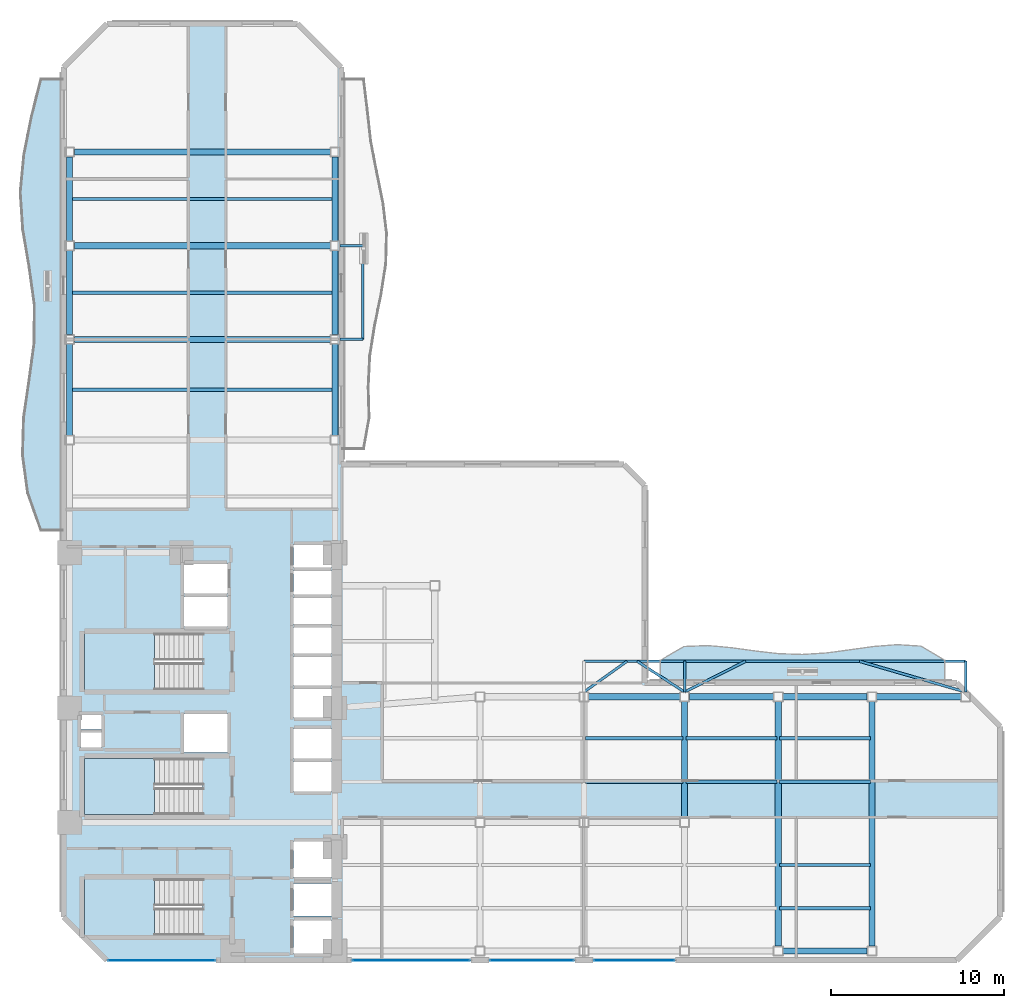
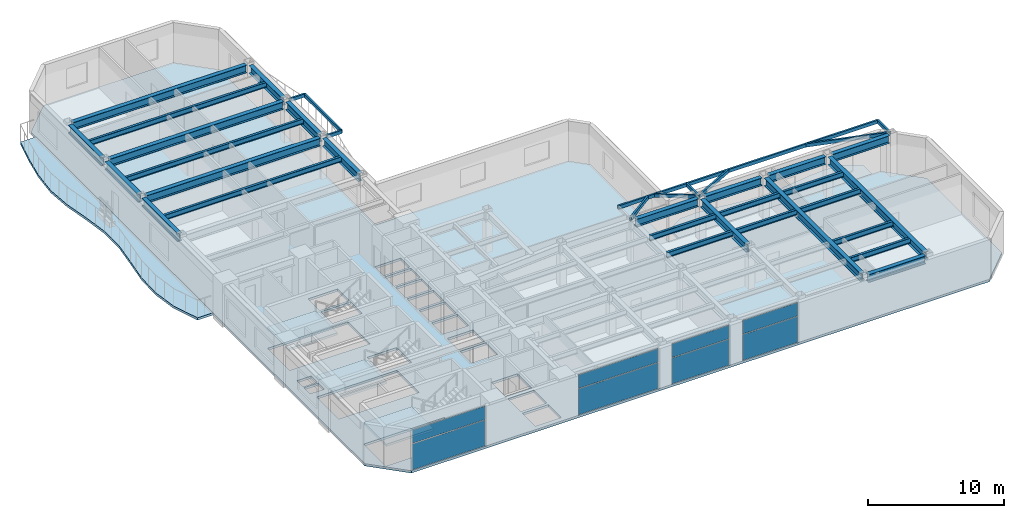
# One storey, part 8 of 16: 39 beams, 8 plates, 6 slabs, 7 elements without a shape of their own.
"""IFC4 building model written with IfcOpenShell, lengths in metres."""

from ifc_helpers import new_model, si_unit, direction, frame, origin, origin_2d, place, context, subcontext, project, spatial, polyline, rectangle, hollow_rectangle, i_section, outline, extrude, material, layer, layer_set, material_profile, profile_set, type_object, element, aggregate, save


model = new_model("IFC4")

# Units and contexts
model_context = context("Model", 3, precision=1e-05, world=origin(), true_north=direction((0.0, 1.0)))
body_context = subcontext(model_context, "Body", "Model", "MODEL_VIEW")
ifc_project = project(units=[si_unit("LENGTHUNIT", "METRE"), si_unit("AREAUNIT", "SQUARE_METRE"), si_unit("VOLUMEUNIT", "CUBIC_METRE"), si_unit("PLANEANGLEUNIT", "RADIAN"), si_unit("MASSUNIT", "GRAM", prefix="KILO")], contexts=[model_context])

# Site, building, storey
site_placement = place(None, origin())
site = spatial("IfcSite", under=ifc_project, at=site_placement, CompositionType="ELEMENT")
building_placement = place(site_placement, origin())
building = spatial("IfcBuilding", under=site, at=building_placement, Name="Mawjaban Terraces University", CompositionType="ELEMENT")
storey_placement = place(building_placement, frame((0.0, 0.0, 38.800048828125)))
storey = spatial("IfcBuildingStorey", under=building, at=storey_placement, Name="L08", CompositionType="ELEMENT", Elevation=38.800048828125)

# Beams
ifc_material_1 = material(Name="Steel EN 10210-1 S355J2H", Category="steel")
ifc_material_profile_1 = material_profile(ifc_material_1, hollow_rectangle(XDim=0.14990234375, YDim=0.300048828125, WallThickness=0.012451171875, at=origin_2d()), Name="RHS300X150X12.5")
ifc_profile_set_1 = profile_set([ifc_material_profile_1], Name="Steel EN 10210-1 S355J2H")
beam_type_1 = type_object("IfcBeamType", Name="BalconyCantileverSpandrel_RHS", PredefinedType="SPANDREL", material=ifc_profile_set_1)
for number, where, z_axis, x_axis, name in (
    (1, (57.800048828125, 15.47509765625, 3.5400390625), (0.0, 1.0, 0.0), (-1.0, 0.0, 0.0), "L08 Exterior Outrigger BAL-L09-N.1"),
    (2, (74.0, 15.47509765625, 3.5400390625), (0.0, 1.0, 0.0), (-1.0, 0.0, 0.0), "L08 Exterior Outrigger BAL-L09-N.2"),
):
    element("IfcBeam", number, at=place(storey_placement, frame(where, z_axis=z_axis, x_axis=x_axis)), inside=storey, type_object=beam_type_1, Name=name, PredefinedType="SPANDREL", context=body_context, shape_type="SweptSolid", body=[
        extrude(hollow_rectangle(XDim=0.14990234375, YDim=0.300048828125, WallThickness=0.012451171875, at=origin_2d()), origin(), (0.0, 0.0, 1.0), 1.77490234375),
    ])
beam_1_placement = place(storey_placement, frame((57.800048828125, 17.25, 3.5400390625), z_axis=(1.0, 0.0, 0.0), x_axis=(0.0, 1.0, 0.0)))
element("IfcBeam", 3, at=beam_1_placement, inside=storey, type_object=beam_type_1, Name="L08 Exterior Edge Spandrel BAL-L09-N", PredefinedType="SPANDREL", context=body_context, shape_type="SweptSolid", body=[
    extrude(hollow_rectangle(XDim=0.14990234375, YDim=0.300048828125, WallThickness=0.012451171875, at=origin_2d()), origin(), (0.0, 0.0, 1.0), 16.199951171875),
])
beam_2_placement = place(storey_placement, frame((57.800048828125, 15.47509765625, 3.5400390625), z_axis=(0.892910985916, 0.450233240922, 0.0), x_axis=(-0.450233240922, 0.892910985916, 0.0)))
element("IfcBeam", 4, at=beam_2_placement, inside=storey, type_object=beam_type_1, Name="L08 Exterior Diagonal Strut BAL-L09-N.1", PredefinedType="SPANDREL", context=body_context, shape_type="SweptSolid", body=[
    extrude(hollow_rectangle(XDim=0.14990234375, YDim=0.300048828125, WallThickness=0.012451171875, at=origin_2d()), origin(), (0.0, 0.0, 1.0), 3.942138671875),
])
beam_3_placement = place(storey_placement, frame((74.0, 15.47509765625, 3.5400390625), z_axis=(-0.960426269064, 0.278534345624, 0.0), x_axis=(-0.278534345624, -0.960426269064, 0.0)))
element("IfcBeam", 5, at=beam_3_placement, inside=storey, type_object=beam_type_1, Name="L08 Exterior Diagonal Strut BAL-L09-N.2", PredefinedType="SPANDREL", context=body_context, shape_type="SweptSolid", body=[
    extrude(hollow_rectangle(XDim=0.14990234375, YDim=0.300048828125, WallThickness=0.012451171875, at=origin_2d()), origin(), (0.0, 0.0, 1.0), 6.372314453125),
])
for number, where, z_axis, x_axis, name in (
    (6, (37.925048828125, 35.800048828125, 3.5400390625), (1.0, 0.0, 0.0), (0.0, 1.0, 0.0), "L08 Exterior Outrigger BAL-L09-E.1"),
    (7, (37.925048828125, 41.199951171875, 3.5400390625), (1.0, 0.0, 0.0), (0.0, 1.0, 0.0), "L08 Exterior Outrigger BAL-L09-E.2"),
):
    element("IfcBeam", number, at=place(storey_placement, frame(where, z_axis=z_axis, x_axis=x_axis)), inside=storey, type_object=beam_type_1, Name=name, PredefinedType="SPANDREL", context=body_context, shape_type="SweptSolid", body=[
        extrude(hollow_rectangle(XDim=0.14990234375, YDim=0.300048828125, WallThickness=0.012451171875, at=origin_2d()), origin(), (0.0, 0.0, 1.0), 1.324951171875),
    ])
beam_4_placement = place(storey_placement, frame((39.25, 35.800048828125, 3.5400390625), z_axis=(0.0, 1.0, 0.0), x_axis=(-1.0, 0.0, 0.0)))
element("IfcBeam", 8, at=beam_4_placement, inside=storey, type_object=beam_type_1, Name="L08 Exterior Edge Spandrel BAL-L09-E", PredefinedType="SPANDREL", context=body_context, shape_type="SweptSolid", body=[
    extrude(hollow_rectangle(XDim=0.14990234375, YDim=0.300048828125, WallThickness=0.012451171875, at=origin_2d()), origin(), (0.0, 0.0, 1.0), 5.39990234375),
])
beam_5_placement = place(storey_placement, frame((52.0, 17.25, 3.5400390625), z_axis=(1.0, 0.0, 0.0), x_axis=(0.0, 1.0, 0.0)))
element("IfcBeam", 9, at=beam_5_placement, inside=storey, type_object=beam_type_1, Name="L08 Exterior Edge Spandrel TER-L09-CLIMB", PredefinedType="SPANDREL", context=body_context, shape_type="SweptSolid", body=[
    extrude(hollow_rectangle(XDim=0.14990234375, YDim=0.300048828125, WallThickness=0.012451171875, at=origin_2d()), origin(), (0.0, 0.0, 1.0), 5.800048828125),
])
beam_6_placement = place(storey_placement, frame((52.0, 15.47509765625, 3.5400390625), z_axis=(0.813760478785, 0.581200381252, 0.0), x_axis=(-0.581200381252, 0.813760478785, 0.0)))
element("IfcBeam", 10, at=beam_6_placement, inside=storey, type_object=beam_type_1, Name="L08 Exterior Diagonal Strut TER-L09-CLIMB.1", PredefinedType="SPANDREL", context=body_context, shape_type="SweptSolid", body=[
    extrude(hollow_rectangle(XDim=0.14990234375, YDim=0.300048828125, WallThickness=0.012451171875, at=origin_2d()), origin(), (0.0, 0.0, 1.0), 3.053955078125),
])
beam_7_placement = place(storey_placement, frame((57.800048828125, 15.47509765625, 3.5400390625), z_axis=(-0.838852245521, 0.544359173877, 0.0), x_axis=(-0.544359173877, -0.838852245521, 0.0)))
element("IfcBeam", 11, at=beam_7_placement, inside=storey, type_object=beam_type_1, Name="L08 Exterior Diagonal Strut TER-L09-CLIMB.2", PredefinedType="SPANDREL", context=body_context, shape_type="SweptSolid", body=[
    extrude(hollow_rectangle(XDim=0.14990234375, YDim=0.300048828125, WallThickness=0.012451171875, at=origin_2d()), origin(), (0.0, 0.0, 1.0), 3.260498046875),
])
ifc_material_2 = material(Name="Steel ASTM A572 Grade 50", Category="steel")
ifc_material_profile_2 = material_profile(ifc_material_2, i_section(OverallWidth=0.35498046875, OverallDepth=0.695068359375, WebThickness=0.015380859375, FlangeThickness=0.02490234375, at=origin_2d()), Name="W690X217")
ifc_profile_set_2 = profile_set([ifc_material_profile_2], Name="Steel ASTM A572 Grade 50")
beam_type_2 = type_object("IfcBeamType", Name="Beam_B_W690X217", PredefinedType="BEAM", material=ifc_profile_set_2)
beam_8_placement = place(storey_placement, frame((63.47509765625, 0.550048828125, 3.343017578125), z_axis=(1.0, 0.0, 0.0), x_axis=(0.0, 1.0, 0.0)))
element("IfcBeam", 12, at=beam_8_placement, inside=storey, type_object=beam_type_2, Name="L08 Beam BM-L08-EW-05", PredefinedType="BEAM", context=body_context, shape_type="SweptSolid", body=[
    extrude(i_section(OverallWidth=0.35498046875, OverallDepth=0.695068359375, WebThickness=0.015380859375, FlangeThickness=0.02490234375, at=origin_2d()), origin(), (0.0, 0.0, 1.0), 4.849853515625),
])
beam_9_placement = place(storey_placement, frame((52.27490234375, 15.199951171875, 3.343017578125), z_axis=(1.0, 0.0, 0.0), x_axis=(0.0, 1.0, 0.0)))
element("IfcBeam", 13, at=beam_9_placement, inside=storey, type_object=beam_type_2, Name="L08 Beam BM-L08-EW-10", PredefinedType="BEAM", context=body_context, shape_type="SweptSolid", body=[
    extrude(i_section(OverallWidth=0.35498046875, OverallDepth=0.695068359375, WebThickness=0.015380859375, FlangeThickness=0.02490234375, at=origin_2d()), origin(), (0.0, 0.0, 1.0), 5.25),
])
beam_10_placement = place(storey_placement, frame((58.074951171875, 15.199951171875, 3.343017578125), z_axis=(1.0, 0.0, 0.0), x_axis=(0.0, 1.0, 0.0)))
element("IfcBeam", 14, at=beam_10_placement, inside=storey, type_object=beam_type_2, Name="L08 Beam BM-L08-EW-11", PredefinedType="BEAM", context=body_context, shape_type="SweptSolid", body=[
    extrude(i_section(OverallWidth=0.35498046875, OverallDepth=0.695068359375, WebThickness=0.015380859375, FlangeThickness=0.02490234375, at=origin_2d()), origin(), (0.0, 0.0, 1.0), 4.85009765625),
])
beam_11_placement = place(storey_placement, frame((63.47509765625, 15.199951171875, 3.343017578125), z_axis=(1.0, 0.0, 0.0), x_axis=(0.0, 1.0, 0.0)))
element("IfcBeam", 15, at=beam_11_placement, inside=storey, type_object=beam_type_2, Name="L08 Beam BM-L08-EW-12", PredefinedType="BEAM", context=body_context, shape_type="SweptSolid", body=[
    extrude(i_section(OverallWidth=0.35498046875, OverallDepth=0.695068359375, WebThickness=0.015380859375, FlangeThickness=0.02490234375, at=origin_2d()), origin(), (0.0, 0.0, 1.0), 4.849853515625),
])
beam_12_placement = place(storey_placement, frame((68.875, 15.199951171875, 3.343017578125), z_axis=(1.0, 0.0, 0.0), x_axis=(0.0, 1.0, 0.0)))
element("IfcBeam", 16, at=beam_12_placement, inside=storey, type_object=beam_type_2, Name="L08 Beam BM-L08-EW-13", PredefinedType="BEAM", context=body_context, shape_type="SweptSolid", body=[
    extrude(i_section(OverallWidth=0.35498046875, OverallDepth=0.695068359375, WebThickness=0.015380859375, FlangeThickness=0.02490234375, at=origin_2d()), origin(), (0.0, 0.0, 1.0), 4.85009765625),
])
for number, where, z_axis, x_axis, name in (
    (17, (22.625, 35.800048828125, 3.343017578125), (1.0, 0.0, 0.0), (0.0, 1.0, 0.0), "L08 Beam BM-L08-EW-16"),
    (18, (22.625, 41.199951171875, 3.343017578125), (1.0, 0.0, 0.0), (0.0, 1.0, 0.0), "L08 Beam BM-L08-EW-17"),
    (19, (22.625, 46.60009765625, 3.343017578125), (1.0, 0.0, 0.0), (0.0, 1.0, 0.0), "L08 Beam BM-L08-EW-18"),
):
    element("IfcBeam", number, at=place(storey_placement, frame(where, z_axis=z_axis, x_axis=x_axis)), inside=storey, type_object=beam_type_2, Name=name, PredefinedType="BEAM", context=body_context, shape_type="SweptSolid", body=[
        extrude(i_section(OverallWidth=0.35498046875, OverallDepth=0.695068359375, WebThickness=0.015380859375, FlangeThickness=0.02490234375, at=origin_2d()), origin(), (0.0, 0.0, 1.0), 14.75),
    ])
beam_13_placement = place(storey_placement, frame((22.35009765625, 30.27490234375, 3.343017578125), z_axis=(0.0, 1.0, 0.0), x_axis=(-1.0, 0.0, 0.0)))
element("IfcBeam", 20, at=beam_13_placement, inside=storey, type_object=beam_type_2, Name="L08 Beam BM-L08-NS-04", PredefinedType="BEAM", context=body_context, shape_type="SweptSolid", body=[
    extrude(i_section(OverallWidth=0.35498046875, OverallDepth=0.695068359375, WebThickness=0.015380859375, FlangeThickness=0.02490234375, at=origin_2d()), origin(), (0.0, 0.0, 1.0), 5.25),
])
beam_14_placement = place(storey_placement, frame((22.35009765625, 36.074951171875, 3.343017578125), z_axis=(0.0, 1.0, 0.0), x_axis=(-1.0, 0.0, 0.0)))
element("IfcBeam", 21, at=beam_14_placement, inside=storey, type_object=beam_type_2, Name="L08 Beam BM-L08-NS-05", PredefinedType="BEAM", context=body_context, shape_type="SweptSolid", body=[
    extrude(i_section(OverallWidth=0.35498046875, OverallDepth=0.695068359375, WebThickness=0.015380859375, FlangeThickness=0.02490234375, at=origin_2d()), origin(), (0.0, 0.0, 1.0), 4.85009765625),
])
beam_15_placement = place(storey_placement, frame((22.35009765625, 41.47509765625, 3.343017578125), z_axis=(0.0, 1.0, 0.0), x_axis=(-1.0, 0.0, 0.0)))
element("IfcBeam", 22, at=beam_15_placement, inside=storey, type_object=beam_type_2, Name="L08 Beam BM-L08-NS-06", PredefinedType="BEAM", context=body_context, shape_type="SweptSolid", body=[
    extrude(i_section(OverallWidth=0.35498046875, OverallDepth=0.695068359375, WebThickness=0.015380859375, FlangeThickness=0.02490234375, at=origin_2d()), origin(), (0.0, 0.0, 1.0), 4.849853515625),
])
beam_16_placement = place(storey_placement, frame((37.64990234375, 30.27490234375, 3.343017578125), z_axis=(0.0, 1.0, 0.0), x_axis=(-1.0, 0.0, 0.0)))
element("IfcBeam", 23, at=beam_16_placement, inside=storey, type_object=beam_type_2, Name="L08 Beam BM-L08-NS-11", PredefinedType="BEAM", context=body_context, shape_type="SweptSolid", body=[
    extrude(i_section(OverallWidth=0.35498046875, OverallDepth=0.695068359375, WebThickness=0.015380859375, FlangeThickness=0.02490234375, at=origin_2d()), origin(), (0.0, 0.0, 1.0), 5.25),
])
beam_17_placement = place(storey_placement, frame((37.64990234375, 36.074951171875, 3.343017578125), z_axis=(0.0, 1.0, 0.0), x_axis=(-1.0, 0.0, 0.0)))
element("IfcBeam", 24, at=beam_17_placement, inside=storey, type_object=beam_type_2, Name="L08 Beam BM-L08-NS-12", PredefinedType="BEAM", context=body_context, shape_type="SweptSolid", body=[
    extrude(i_section(OverallWidth=0.35498046875, OverallDepth=0.695068359375, WebThickness=0.015380859375, FlangeThickness=0.02490234375, at=origin_2d()), origin(), (0.0, 0.0, 1.0), 4.85009765625),
])
beam_18_placement = place(storey_placement, frame((37.64990234375, 41.47509765625, 3.343017578125), z_axis=(0.0, 1.0, 0.0), x_axis=(-1.0, 0.0, 0.0)))
element("IfcBeam", 25, at=beam_18_placement, inside=storey, type_object=beam_type_2, Name="L08 Beam BM-L08-NS-13", PredefinedType="BEAM", context=body_context, shape_type="SweptSolid", body=[
    extrude(i_section(OverallWidth=0.35498046875, OverallDepth=0.695068359375, WebThickness=0.015380859375, FlangeThickness=0.02490234375, at=origin_2d()), origin(), (0.0, 0.0, 1.0), 4.849853515625),
])
beam_19_placement = place(storey_placement, frame((57.800048828125, 8.22509765625, 3.343017578125), z_axis=(0.0, 1.0, 0.0), x_axis=(-1.0, 0.0, 0.0)))
element("IfcBeam", 26, at=beam_19_placement, inside=storey, type_object=beam_type_2, Name="L08 Beam BM-L08-NS-19", PredefinedType="BEAM", context=body_context, shape_type="SweptSolid", body=[
    extrude(i_section(OverallWidth=0.35498046875, OverallDepth=0.695068359375, WebThickness=0.015380859375, FlangeThickness=0.02490234375, at=origin_2d()), origin(), (0.0, 0.0, 1.0), 6.699951171875),
])
for number, where, z_axis, x_axis, name in (
    (27, (63.199951171875, 0.824951171875, 3.343017578125), (0.0, 1.0, 0.0), (-1.0, 0.0, 0.0), "L08 Beam BM-L08-NS-20"),
    (28, (68.60009765625, 0.824951171875, 3.343017578125), (0.0, 1.0, 0.0), (-1.0, 0.0, 0.0), "L08 Beam BM-L08-NS-21"),
):
    element("IfcBeam", number, at=place(storey_placement, frame(where, z_axis=z_axis, x_axis=x_axis)), inside=storey, type_object=beam_type_2, Name=name, PredefinedType="BEAM", context=body_context, shape_type="SweptSolid", body=[
        extrude(i_section(OverallWidth=0.35498046875, OverallDepth=0.695068359375, WebThickness=0.015380859375, FlangeThickness=0.02490234375, at=origin_2d()), origin(), (0.0, 0.0, 1.0), 14.10009765625),
    ])
ifc_material_profile_3 = material_profile(ifc_material_2, i_section(OverallWidth=0.19189453125, OverallDepth=0.462890625, WebThickness=0.010498046875, FlangeThickness=0.017578125, at=origin_2d()), Name="W460X89")
ifc_profile_set_3 = profile_set([ifc_material_profile_3], Name="Steel ASTM A572 Grade 50")
beam_type_3 = type_object("IfcBeamType", Name="Beam_J_W460X89", PredefinedType="JOIST", material=ifc_profile_set_3)
for number, where, z_axis, x_axis, name in (
    (29, (63.280029296875, 3.0, 3.458984375), (1.0, 0.0, 0.0), (0.0, 1.0, 0.0), "L08 Composite Joist JST-L08-05"),
    (30, (63.280029296875, 5.5, 3.458984375), (1.0, 0.0, 0.0), (0.0, 1.0, 0.0), "L08 Composite Joist JST-L08-10"),
):
    element("IfcBeam", number, at=place(storey_placement, frame(where, z_axis=z_axis, x_axis=x_axis)), inside=storey, type_object=beam_type_3, Name=name, PredefinedType="JOIST", context=body_context, shape_type="SweptSolid", body=[
        extrude(i_section(OverallWidth=0.19189453125, OverallDepth=0.462890625, WebThickness=0.010498046875, FlangeThickness=0.017578125, at=origin_2d()), origin(), (0.0, 0.0, 1.0), 5.239990234375),
    ])
beam_20_placement = place(storey_placement, frame((52.080078125, 10.300048828125, 3.458984375), z_axis=(1.0, 0.0, 0.0), x_axis=(0.0, 1.0, 0.0)))
element("IfcBeam", 31, at=beam_20_placement, inside=storey, type_object=beam_type_3, Name="L08 Composite Joist JST-L08-13", PredefinedType="JOIST", context=body_context, shape_type="SweptSolid", body=[
    extrude(i_section(OverallWidth=0.19189453125, OverallDepth=0.462890625, WebThickness=0.010498046875, FlangeThickness=0.017578125, at=origin_2d()), origin(), (0.0, 0.0, 1.0), 5.639892578125),
])
beam_21_placement = place(storey_placement, frame((57.8798828125, 10.300048828125, 3.458984375), z_axis=(1.0, 0.0, 0.0), x_axis=(0.0, 1.0, 0.0)))
element("IfcBeam", 32, at=beam_21_placement, inside=storey, type_object=beam_type_3, Name="L08 Composite Joist JST-L08-14", PredefinedType="JOIST", context=body_context, shape_type="SweptSolid", body=[
    extrude(i_section(OverallWidth=0.19189453125, OverallDepth=0.462890625, WebThickness=0.010498046875, FlangeThickness=0.017578125, at=origin_2d()), origin(), (0.0, 0.0, 1.0), 5.240234375),
])
beam_22_placement = place(storey_placement, frame((63.280029296875, 10.300048828125, 3.458984375), z_axis=(1.0, 0.0, 0.0), x_axis=(0.0, 1.0, 0.0)))
element("IfcBeam", 33, at=beam_22_placement, inside=storey, type_object=beam_type_3, Name="L08 Composite Joist JST-L08-15", PredefinedType="JOIST", context=body_context, shape_type="SweptSolid", body=[
    extrude(i_section(OverallWidth=0.19189453125, OverallDepth=0.462890625, WebThickness=0.010498046875, FlangeThickness=0.017578125, at=origin_2d()), origin(), (0.0, 0.0, 1.0), 5.239990234375),
])
beam_23_placement = place(storey_placement, frame((52.080078125, 12.800048828125, 3.458984375), z_axis=(1.0, 0.0, 0.0), x_axis=(0.0, 1.0, 0.0)))
element("IfcBeam", 34, at=beam_23_placement, inside=storey, type_object=beam_type_3, Name="L08 Composite Joist JST-L08-18", PredefinedType="JOIST", context=body_context, shape_type="SweptSolid", body=[
    extrude(i_section(OverallWidth=0.19189453125, OverallDepth=0.462890625, WebThickness=0.010498046875, FlangeThickness=0.017578125, at=origin_2d()), origin(), (0.0, 0.0, 1.0), 5.639892578125),
])
beam_24_placement = place(storey_placement, frame((57.8798828125, 12.800048828125, 3.458984375), z_axis=(1.0, 0.0, 0.0), x_axis=(0.0, 1.0, 0.0)))
element("IfcBeam", 35, at=beam_24_placement, inside=storey, type_object=beam_type_3, Name="L08 Composite Joist JST-L08-19", PredefinedType="JOIST", context=body_context, shape_type="SweptSolid", body=[
    extrude(i_section(OverallWidth=0.19189453125, OverallDepth=0.462890625, WebThickness=0.010498046875, FlangeThickness=0.017578125, at=origin_2d()), origin(), (0.0, 0.0, 1.0), 5.240234375),
])
beam_25_placement = place(storey_placement, frame((63.280029296875, 12.800048828125, 3.458984375), z_axis=(1.0, 0.0, 0.0), x_axis=(0.0, 1.0, 0.0)))
element("IfcBeam", 36, at=beam_25_placement, inside=storey, type_object=beam_type_3, Name="L08 Composite Joist JST-L08-20", PredefinedType="JOIST", context=body_context, shape_type="SweptSolid", body=[
    extrude(i_section(OverallWidth=0.19189453125, OverallDepth=0.462890625, WebThickness=0.010498046875, FlangeThickness=0.017578125, at=origin_2d()), origin(), (0.0, 0.0, 1.0), 5.239990234375),
])
for number, where, z_axis, x_axis, name in (
    (37, (22.429931640625, 32.89990234375, 3.458984375), (1.0, 0.0, 0.0), (0.0, 1.0, 0.0), "L08 Composite Joist JST-L08-23"),
    (38, (22.429931640625, 38.5, 3.458984375), (1.0, 0.0, 0.0), (0.0, 1.0, 0.0), "L08 Composite Joist JST-L08-24"),
    (39, (22.429931640625, 43.89990234375, 3.458984375), (1.0, 0.0, 0.0), (0.0, 1.0, 0.0), "L08 Composite Joist JST-L08-25"),
):
    element("IfcBeam", number, at=place(storey_placement, frame(where, z_axis=z_axis, x_axis=x_axis)), inside=storey, type_object=beam_type_3, Name=name, PredefinedType="JOIST", context=body_context, shape_type="SweptSolid", body=[
        extrude(i_section(OverallWidth=0.19189453125, OverallDepth=0.462890625, WebThickness=0.010498046875, FlangeThickness=0.017578125, at=origin_2d()), origin(), (0.0, 0.0, 1.0), 15.14013671875),
    ])

# Slabs
ifc_material_3 = material(Name="Concrete C40/50", Category="concrete")
ifc_layer_1 = layer(ifc_material_3, 0.2099609375)
ifc_layer_set_1 = layer_set([ifc_layer_1], Name="Concrete C40/50")
slab_type_1 = type_object("IfcSlabType", Name="BalconySlab_210_Ext", PredefinedType="FLOOR", material=ifc_layer_set_1)
slab_1_placement = place(storey_placement, frame((0.0, 0.0, -0.2099609375)))
element("IfcSlab", 40, at=slab_1_placement, inside=storey, type_object=slab_type_1, Name="L08 Planted Balcony Slab west", PredefinedType="FLOOR", context=body_context, shape_type="SweptSolid", body=[
    extrude(outline(polyline([(22.010009765625, 24.800048828125), (22.010009765625, 50.800048828125), (20.699951171875, 50.800048828125), (20.154052734375, 48.633056640625), (19.722900390625, 46.467041015625), (19.512939453125, 44.300048828125), (19.656982421875, 42.133056640625), (20.027099609375, 39.967041015625), (20.323974609375, 37.800048828125), (20.31494140625, 35.633056640625), (20.02197265625, 33.467041015625), (19.7041015625, 31.300048828125), (19.64404296875, 29.133056640625), (19.93701171875, 26.967041015625), (20.699951171875, 24.800048828125), (22.010009765625, 24.800048828125)])), origin(), (0.0, 0.0, 1.0), 0.2099609375),
])
slab_2_placement = place(storey_placement, frame((0.0, 0.0, -0.2099609375)))
element("IfcSlab", 41, at=slab_2_placement, inside=storey, type_object=slab_type_1, Name="L08 Planted Balcony Slab inner_north", PredefinedType="FLOOR", context=body_context, shape_type="SweptSolid", body=[
    extrude(outline(polyline([(56.39990234375, 15.989990234375), (72.800048828125, 15.989990234375), (72.800048828125, 17.300048828125), (71.43310546875, 18.118896484375), (70.06689453125, 18.2041015625), (68.699951171875, 18.10009765625), (67.3330078125, 17.906982421875), (65.967041015625, 17.72509765625), (64.60009765625, 17.638916015625), (63.23291015625, 17.68505859375), (61.866943359375, 17.840087890625), (60.5, 18.030029296875), (59.133056640625, 18.152099609375), (57.76708984375, 18.096923828125), (56.39990234375, 17.300048828125), (56.39990234375, 15.989990234375)])), origin(), (0.0, 0.0, 1.0), 0.2099609375),
])
ifc_layer_2 = layer(ifc_material_3, 0.2099609375)
ifc_layer_set_2 = layer_set([ifc_layer_2], Name="Concrete C40/50")
slab_type_2 = type_object("IfcSlabType", Name="CompositeSlab_210", PredefinedType="FLOOR", material=ifc_layer_set_2)
slab_3_placement = place(storey_placement, frame((0.0, 0.0, -0.2099609375)))
element("IfcSlab", 42, at=slab_3_placement, inside=storey, type_object=slab_type_2, Name="L08 Primary Structural Slab", PredefinedType="FLOOR", context=body_context, shape_type="SweptSolid", body=[
    extrude(outline(polyline([(24.5, 0.0), (73.5, 0.0), (76.0, 2.5), (76.0, 13.5), (73.5, 16.0), (55.5, 16.0), (55.5, 27.39990234375), (54.300048828125, 28.60009765625), (38.0, 28.60009765625), (38.0, 51.5), (35.5, 54.0), (24.5, 54.0), (22.0, 51.5), (22.0, 2.5), (24.5, 0.0)]), holes=[polyline([(30.014892578125, 4.699951171875), (23.199951171875, 4.699951171875), (23.199951171875, 1.449951171875), (30.014892578125, 1.449951171875), (30.014892578125, 4.699951171875)]), polyline([(30.014892578125, 18.85009765625), (23.199951171875, 18.85009765625), (23.199951171875, 15.60009765625), (30.014892578125, 15.60009765625), (30.014892578125, 18.85009765625)]), polyline([(30.014892578125, 11.64990234375), (23.199951171875, 11.64990234375), (23.199951171875, 8.39990234375), (30.014892578125, 8.39990234375), (30.014892578125, 11.64990234375)]), polyline([(35.25, 0.39990234375), (37.449951171875, 0.39990234375), (37.449951171875, 2.300048828125), (35.25, 2.300048828125), (35.25, 0.39990234375)]), polyline([(35.25, 2.550048828125), (37.449951171875, 2.550048828125), (37.449951171875, 4.449951171875), (35.25, 4.449951171875), (35.25, 2.550048828125)]), polyline([(35.25, 4.800048828125), (37.449951171875, 4.800048828125), (37.449951171875, 6.85009765625), (35.25, 6.85009765625), (35.25, 4.800048828125)]), polyline([(35.25, 9.75), (37.449951171875, 9.75), (37.449951171875, 11.449951171875), (35.25, 11.449951171875), (35.25, 9.75)]), polyline([(35.25, 11.64990234375), (37.449951171875, 11.64990234375), (37.449951171875, 13.35009765625), (35.25, 13.35009765625), (35.25, 11.64990234375)]), polyline([(28.949951171875, 12.0), (31.449951171875, 12.0), (31.449951171875, 14.199951171875), (28.949951171875, 14.199951171875), (28.949951171875, 12.0)]), polyline([(35.25, 14.0), (37.449951171875, 14.0), (37.449951171875, 15.64990234375), (35.25, 15.64990234375), (35.25, 14.0)]), polyline([(35.25, 15.85009765625), (37.449951171875, 15.85009765625), (37.449951171875, 17.5), (35.25, 17.5), (35.25, 15.85009765625)]), polyline([(35.25, 17.699951171875), (37.449951171875, 17.699951171875), (37.449951171875, 19.199951171875), (35.25, 19.199951171875), (35.25, 17.699951171875)]), polyline([(35.25, 19.39990234375), (37.449951171875, 19.39990234375), (37.449951171875, 20.89990234375), (35.25, 20.89990234375), (35.25, 19.39990234375)]), polyline([(28.949951171875, 19.25), (31.449951171875, 19.25), (31.449951171875, 20.949951171875), (28.949951171875, 20.949951171875), (28.949951171875, 19.25)]), polyline([(35.25, 21.10009765625), (37.449951171875, 21.10009765625), (37.449951171875, 22.449951171875), (35.25, 22.449951171875), (35.25, 21.10009765625)]), polyline([(35.25, 22.64990234375), (37.449951171875, 22.64990234375), (37.449951171875, 23.949951171875), (35.25, 23.949951171875), (35.25, 22.64990234375)]), polyline([(28.949951171875, 21.14990234375), (31.449951171875, 21.14990234375), (31.449951171875, 22.85009765625), (28.949951171875, 22.85009765625), (28.949951171875, 21.14990234375)]), polyline([(23.0, 12.25), (24.199951171875, 12.25), (24.199951171875, 13.14990234375), (23.0, 13.14990234375), (23.0, 12.25)]), polyline([(23.0, 13.300048828125), (24.199951171875, 13.300048828125), (24.199951171875, 14.179931640625), (23.0, 14.179931640625), (23.0, 13.300048828125)])]), origin(), (0.0, 0.0, 1.0), 0.2099609375),
])

# Stair, slab
stair_type = type_object("IfcStairType", Name="Stair_Core1550_H39", PredefinedType="HALF_TURN_STAIR", material=ifc_material_3)
stair_1_placement = place(storey_placement, origin())
stair_1 = element("IfcStair", 43, at=stair_1_placement, inside=storey, type_object=stair_type, Name="L08 Core Exit Stair 1", PredefinedType="HALF_TURN_STAIR")
ifc_layer_3 = layer(ifc_material_3, 0.199951171875)
ifc_layer_set_3 = layer_set([ifc_layer_3], Name="Concrete C40/50")
slab_type_3 = type_object("IfcSlabType", Name="StairLandingSlab_200", PredefinedType="LANDING", material=ifc_layer_set_3)
slab_4_placement = place(storey_placement, frame((0.0, 0.0, 1.75)))
slab_4 = element("IfcSlab", 44, at=slab_4_placement, type_object=slab_type_3, Name="ST-1 landing 1", PredefinedType="LANDING", context=body_context, shape_type="SweptSolid", body=[
    extrude(outline(polyline([(27.25, 4.699951171875), (23.199951171875, 4.699951171875), (23.199951171875, 1.449951171875), (27.25, 1.449951171875), (27.25, 4.699951171875)])), origin(), (0.0, 0.0, 1.0), 0.199951171875),
])
aggregate(stair_1, [slab_4])

stair_2_placement = place(storey_placement, origin())
stair_2 = element("IfcStair", 45, at=stair_2_placement, inside=storey, type_object=stair_type, Name="L08 Core Exit Stair 2", PredefinedType="HALF_TURN_STAIR")
slab_5_placement = place(storey_placement, frame((0.0, 0.0, 1.75)))
slab_5 = element("IfcSlab", 46, at=slab_5_placement, type_object=slab_type_3, Name="ST-2 landing 1", PredefinedType="LANDING", context=body_context, shape_type="SweptSolid", body=[
    extrude(outline(polyline([(27.25, 18.85009765625), (23.199951171875, 18.85009765625), (23.199951171875, 15.60009765625), (27.25, 15.60009765625), (27.25, 18.85009765625)])), origin(), (0.0, 0.0, 1.0), 0.199951171875),
])
aggregate(stair_2, [slab_5])

stair_3_placement = place(storey_placement, origin())
stair_3 = element("IfcStair", 47, at=stair_3_placement, inside=storey, type_object=stair_type, Name="L08 Core Exit Stair 3", PredefinedType="HALF_TURN_STAIR")
slab_6_placement = place(storey_placement, frame((0.0, 0.0, 1.75)))
slab_6 = element("IfcSlab", 48, at=slab_6_placement, type_object=slab_type_3, Name="ST-3 landing 1", PredefinedType="LANDING", context=body_context, shape_type="SweptSolid", body=[
    extrude(outline(polyline([(27.25, 11.64990234375), (23.199951171875, 11.64990234375), (23.199951171875, 8.39990234375), (27.25, 8.39990234375), (27.25, 11.64990234375)])), origin(), (0.0, 0.0, 1.0), 0.199951171875),
])
aggregate(stair_3, [slab_6])

# Curtain wall, plates
ifc_material_4 = material(Name="Anodised aluminium 6063-T6 and solar-control low-E glass", Category="aluminium")
ifc_layer_4 = layer(ifc_material_4, 0.1650390625)
ifc_layer_set_4 = layer_set([ifc_layer_4], Name="Anodised aluminium 6063-T6 and solar-control low-E glass")
curtain_wall_type = type_object("IfcCurtainWallType", Name="CWSystem_04_EastWing", PredefinedType="NOTDEFINED", material=ifc_layer_set_4)
curtain_wall_1_placement = place(storey_placement, origin())
curtain_wall_1 = element("IfcCurtainWall", 49, at=curtain_wall_1_placement, inside=storey, type_object=curtain_wall_type, Name="L08 Curtain Wall CW-04 Run 1.1", PredefinedType="NOTDEFINED")
ifc_material_5 = material(Name="Low-E solar-control double glazing", Category="glass")
ifc_layer_5 = layer(ifc_material_5, 0.028076171875)
ifc_layer_set_5 = layer_set([ifc_layer_5], Name="Low-E solar-control double glazing")
plate_type = type_object("IfcPlateType", Name="VisionPanel_CW-04", PredefinedType="CURTAIN_PANEL", material=ifc_layer_set_5)
plate_1_placement = place(storey_placement, frame((27.64990234375, 0.0, 0.059814453125), z_axis=(0.0, 0.0, 1.0), x_axis=(1.0, 0.0, 0.0)))
plate_1 = element("IfcPlate", 50, at=plate_1_placement, type_object=plate_type, Name="CW-04 panel 1.1", PredefinedType="CURTAIN_PANEL", context=body_context, shape_type="SweptSolid", body=[
    extrude(rectangle(XDim=6.169921875, YDim=0.028076171875, at=origin_2d()), origin(), (0.0, 0.0, 1.0), 2.30908203125),
])
plate_2_placement = place(storey_placement, frame((27.64990234375, 0.0, 2.42919921875), z_axis=(0.0, 0.0, 1.0), x_axis=(1.0, 0.0, 0.0)))
plate_2 = element("IfcPlate", 51, at=plate_2_placement, type_object=plate_type, Name="CW-04 panel 1.2", PredefinedType="CURTAIN_PANEL", context=body_context, shape_type="SweptSolid", body=[
    extrude(rectangle(XDim=6.169921875, YDim=0.028076171875, at=origin_2d()), origin(), (0.0, 0.0, 1.0), 1.200927734375),
])
aggregate(curtain_wall_1, [plate_1, plate_2])

curtain_wall_2_placement = place(storey_placement, origin())
curtain_wall_2 = element("IfcCurtainWall", 52, at=curtain_wall_2_placement, inside=storey, type_object=curtain_wall_type, Name="L08 Curtain Wall CW-04 Run 1.2", PredefinedType="NOTDEFINED")
plate_3_placement = place(storey_placement, frame((42.03759765625, 0.0, 0.059814453125), z_axis=(0.0, 0.0, 1.0), x_axis=(1.0, 0.0, 0.0)))
plate_3 = element("IfcPlate", 53, at=plate_3_placement, type_object=plate_type, Name="CW-04 panel 1.1", PredefinedType="CURTAIN_PANEL", context=body_context, shape_type="SweptSolid", body=[
    extrude(rectangle(XDim=6.7451171875, YDim=0.028076171875, at=origin_2d()), origin(), (0.0, 0.0, 1.0), 2.30908203125),
])
plate_4_placement = place(storey_placement, frame((42.03759765625, 0.0, 2.42919921875), z_axis=(0.0, 0.0, 1.0), x_axis=(1.0, 0.0, 0.0)))
plate_4 = element("IfcPlate", 54, at=plate_4_placement, type_object=plate_type, Name="CW-04 panel 1.2", PredefinedType="CURTAIN_PANEL", context=body_context, shape_type="SweptSolid", body=[
    extrude(rectangle(XDim=6.7451171875, YDim=0.028076171875, at=origin_2d()), origin(), (0.0, 0.0, 1.0), 1.200927734375),
])
aggregate(curtain_wall_2, [plate_3, plate_4])

curtain_wall_3_placement = place(storey_placement, origin())
curtain_wall_3 = element("IfcCurtainWall", 55, at=curtain_wall_3_placement, inside=storey, type_object=curtain_wall_type, Name="L08 Curtain Wall CW-04 Run 1.3", PredefinedType="NOTDEFINED")
plate_5_placement = place(storey_placement, frame((49.0, 0.0, 0.059814453125), z_axis=(0.0, 0.0, 1.0), x_axis=(1.0, 0.0, 0.0)))
plate_5 = element("IfcPlate", 56, at=plate_5_placement, type_object=plate_type, Name="CW-04 panel 1.1", PredefinedType="CURTAIN_PANEL", context=body_context, shape_type="SweptSolid", body=[
    extrude(rectangle(XDim=4.820068359375, YDim=0.028076171875, at=origin_2d()), origin(), (0.0, 0.0, 1.0), 2.30908203125),
])
plate_6_placement = place(storey_placement, frame((49.0, 0.0, 2.42919921875), z_axis=(0.0, 0.0, 1.0), x_axis=(1.0, 0.0, 0.0)))
plate_6 = element("IfcPlate", 57, at=plate_6_placement, type_object=plate_type, Name="CW-04 panel 1.2", PredefinedType="CURTAIN_PANEL", context=body_context, shape_type="SweptSolid", body=[
    extrude(rectangle(XDim=4.820068359375, YDim=0.028076171875, at=origin_2d()), origin(), (0.0, 0.0, 1.0), 1.200927734375),
])
aggregate(curtain_wall_3, [plate_5, plate_6])

curtain_wall_4_placement = place(storey_placement, origin())
curtain_wall_4 = element("IfcCurtainWall", 58, at=curtain_wall_4_placement, inside=storey, type_object=curtain_wall_type, Name="L08 Curtain Wall CW-04 Run 1.4", PredefinedType="NOTDEFINED")
plate_7_placement = place(storey_placement, frame((54.89990234375, 0.0, 0.059814453125), z_axis=(0.0, 0.0, 1.0), x_axis=(1.0, 0.0, 0.0)))
plate_7 = element("IfcPlate", 59, at=plate_7_placement, type_object=plate_type, Name="CW-04 panel 1.1", PredefinedType="CURTAIN_PANEL", context=body_context, shape_type="SweptSolid", body=[
    extrude(rectangle(XDim=4.6201171875, YDim=0.028076171875, at=origin_2d()), origin(), (0.0, 0.0, 1.0), 2.30908203125),
])
plate_8_placement = place(storey_placement, frame((54.89990234375, 0.0, 2.42919921875), z_axis=(0.0, 0.0, 1.0), x_axis=(1.0, 0.0, 0.0)))
plate_8 = element("IfcPlate", 60, at=plate_8_placement, type_object=plate_type, Name="CW-04 panel 1.2", PredefinedType="CURTAIN_PANEL", context=body_context, shape_type="SweptSolid", body=[
    extrude(rectangle(XDim=4.6201171875, YDim=0.028076171875, at=origin_2d()), origin(), (0.0, 0.0, 1.0), 1.200927734375),
])
aggregate(curtain_wall_4, [plate_7, plate_8])

save(model, "model.ifc")
